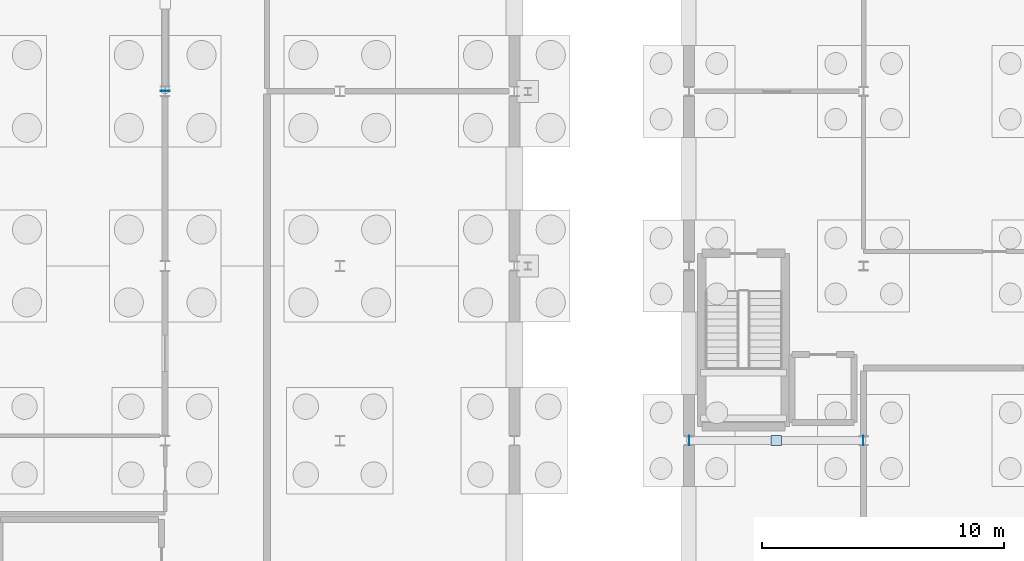
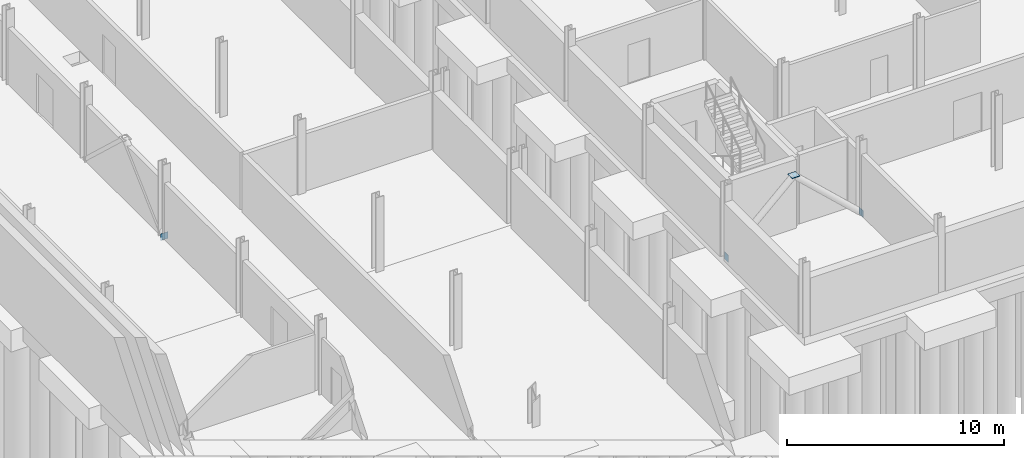
# One storey, part 29 of 50: 4 plates.
"""IFC4 building model written with IfcOpenShell, lengths in metres."""

from ifc_helpers import new_model, si_unit, direction, frame, origin, origin_2d, place, context, subcontext, project, spatial, rectangle, extrude, material, layer, layer_set, type_object, element, save


model = new_model("IFC4")

# Units and contexts
model_context = context("Model", 3, precision=1e-05, world=origin(), true_north=direction((0.0, 1.0)))
body_context = subcontext(model_context, "Body", "Model", "MODEL_VIEW")
ifc_project = project(units=[si_unit("LENGTHUNIT", "METRE"), si_unit("AREAUNIT", "SQUARE_METRE"), si_unit("VOLUMEUNIT", "CUBIC_METRE"), si_unit("PLANEANGLEUNIT", "RADIAN"), si_unit("MASSUNIT", "GRAM", prefix="KILO")], contexts=[model_context])

# Site, building, storey
site_placement = place(None, origin())
site = spatial("IfcSite", under=ifc_project, at=site_placement, CompositionType="ELEMENT")
building_placement = place(site_placement, origin())
building = spatial("IfcBuilding", under=site, at=building_placement, Name="Narikvali Park Central Library", CompositionType="ELEMENT")
storey_placement = place(building_placement, frame((0.0, 0.0, -4.199951171875)))
storey = spatial("IfcBuildingStorey", under=building, at=storey_placement, Name="B1", CompositionType="ELEMENT", Elevation=-4.199951171875)

# Plates
ifc_material = material(Name="Steel S355", Category="steel")
ifc_layer_1 = layer(ifc_material, 0.013916015625, Name="Steel S355")
ifc_layer_set_1 = layer_set([ifc_layer_1], Name="Steel S355")
plate_type_1 = type_object("IfcPlateType", Name="Steel Hollow End Cap Plate 14", PredefinedType="SHEET", material=ifc_layer_set_1)
plate_1_placement = place(storey_placement, frame((7.199951171875, 72.01220703125, -0.177734375), z_axis=(0.0, 0.0, 1.0), x_axis=(-1.0, 0.0, 0.0)))
element("IfcPlate", 1, at=plate_1_placement, inside=storey, type_object=plate_type_1, Name="Hollow Section Steel End Cap BR-ECAP-1-B1-A0", PredefinedType="SHEET", context=body_context, shape_type="SweptSolid", body=[
    extrude(rectangle(XDim=0.3798828125, YDim=0.013916015625, at=origin_2d()), origin(), (0.0, 0.0, 1.0), 0.3798828125),
])
for number, where, z_axis, x_axis, name in (
    (2, (28.81201171875, 57.60009765625, -0.177734375), (0.0, 0.0, 1.0), (-1.0, 0.0, 0.0), "Hollow Section Steel End Cap BR-ECAP-3-B1-A0"),
    (3, (35.98779296875, 57.60009765625, -0.177734375), (0.0, 0.0, 1.0), (1.0, 0.0, 0.0), "Hollow Section Steel End Cap BR-ECAP-3-B1-B0"),
):
    element("IfcPlate", number, at=place(storey_placement, frame(where, z_axis=z_axis, x_axis=x_axis)), inside=storey, type_object=plate_type_1, Name=name, PredefinedType="SHEET", context=body_context, shape_type="SweptSolid", body=[
        extrude(rectangle(XDim=0.013916015625, YDim=0.3798828125, at=origin_2d()), origin(), (0.0, 0.0, 1.0), 0.3798828125),
    ])
ifc_layer_2 = layer(ifc_material, 0.0380859375, Name="Steel S355")
ifc_layer_set_2 = layer_set([ifc_layer_2], Name="Steel S355")
plate_type_2 = type_object("IfcPlateType", Name="Truss Splice Gusset Plate 38", PredefinedType="SHEET", material=ifc_layer_set_2)
plate_2_placement = place(storey_placement, frame((32.39990234375, 57.60009765625, 3.3408203125), z_axis=(0.0, 0.0, 1.0), x_axis=(1.0, 0.0, 0.0)))
element("IfcPlate", 4, at=plate_2_placement, inside=storey, type_object=plate_type_2, Name="V4 B1 Chevron Apex Gusset Cap Plate", PredefinedType="SHEET", context=body_context, shape_type="SweptSolid", body=[
    extrude(rectangle(XDim=0.419921875, YDim=0.419921875, at=origin_2d()), origin(), (0.0, 0.0, 1.0), 0.0380859375),
])

save(model, "model.ifc")
